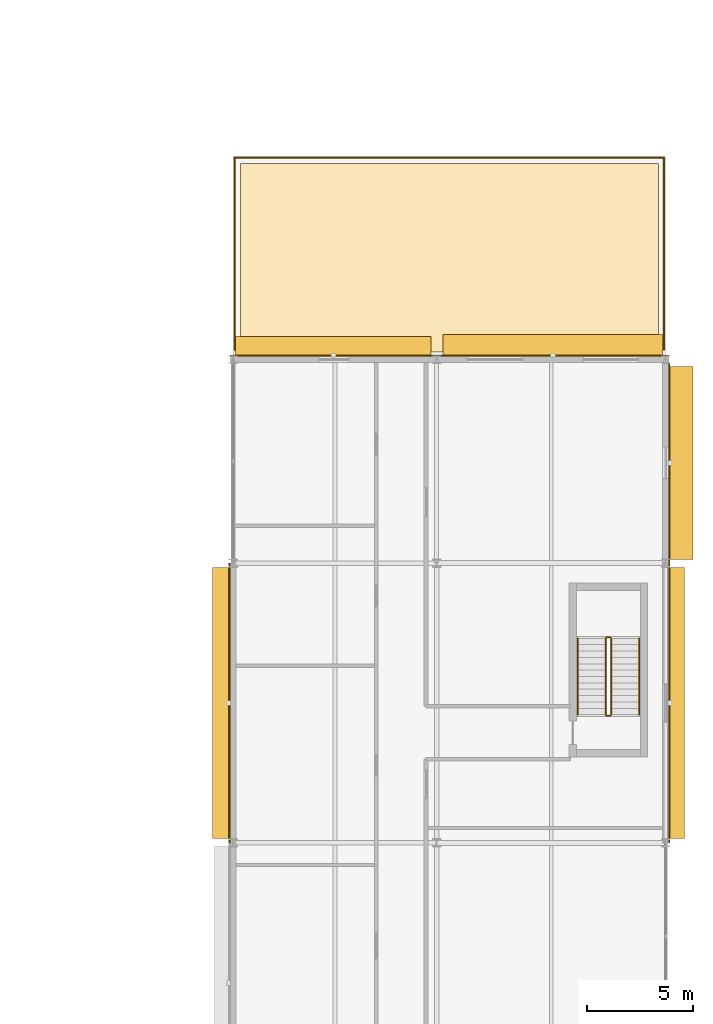
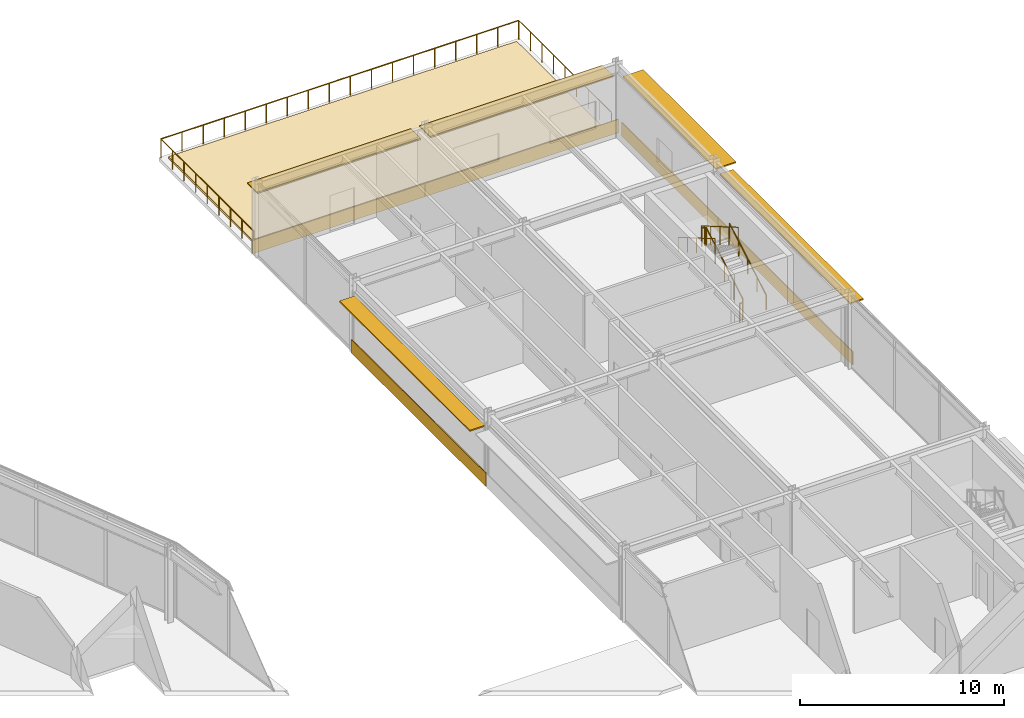
# One storey, part 133 of 133: 9 railings, 6 coverings, 5 shading devices.
"""IFC4 building model written with IfcOpenShell, lengths in metres."""

from ifc_helpers import new_model, si_unit, direction, frame, origin, origin_2d, place, context, subcontext, project, spatial, polyline, rectangle, circle, outline, extrude, material, layer, layer_set, type_object, element, save


model = new_model("IFC4")

# Units and contexts
model_context = context("Model", 3, precision=1e-05, world=origin(), true_north=direction((0.0, 1.0)))
body_context = subcontext(model_context, "Body", "Model", "MODEL_VIEW")
ifc_project = project(units=[si_unit("LENGTHUNIT", "METRE"), si_unit("AREAUNIT", "SQUARE_METRE"), si_unit("VOLUMEUNIT", "CUBIC_METRE"), si_unit("PLANEANGLEUNIT", "RADIAN"), si_unit("MASSUNIT", "GRAM", prefix="KILO")], contexts=[model_context])

# Site, building, storey
site_placement = place(None, origin())
site = spatial("IfcSite", under=ifc_project, at=site_placement, CompositionType="ELEMENT")
building_placement = place(site_placement, origin())
building = spatial("IfcBuilding", under=site, at=building_placement, Name="Almandine Court Research Institute", CompositionType="ELEMENT")
storey_placement = place(building_placement, frame((0.0, 0.0, 9.800048828125)))
storey = spatial("IfcBuildingStorey", under=building, at=storey_placement, Name="L02", CompositionType="ELEMENT", Elevation=9.800048828125)

# Coverings
ifc_material_1 = material(Name="Extruded Cream-Ochre Seismic Terracotta Spandrel", Category="masonry")
ifc_layer_1 = layer(ifc_material_1, 0.054931640625)
ifc_layer_set_1 = layer_set([ifc_layer_1], Name="Extruded Cream-Ochre Seismic Terracotta Spandrel")
covering_type_1 = type_object("IfcCoveringType", Name="Cov-CLAD-TERR", PredefinedType="CLADDING", material=ifc_layer_set_1)
covering_1_placement = place(storey_placement, frame((153.428955078125, 77.39990234375, 0.02001953125), z_axis=(0.0, 0.0, 1.0), x_axis=(0.0, 1.0, 0.0)))
element("IfcCovering", 1, at=covering_1_placement, inside=storey, type_object=covering_type_1, Name="L02 Facade Spandrel Cladding Band 141", PredefinedType="CLADDING", context=body_context, shape_type="SweptSolid", body=[
    extrude(rectangle(XDim=13.19189453125, YDim=0.054931640625, at=origin_2d()), origin(), (0.0, 0.0, 1.0), 0.800048828125),
])
covering_2_placement = place(storey_placement, frame((158.325927734375, 93.77001953125, 0.02001953125), z_axis=(0.0, 0.0, 1.0), x_axis=(1.0, 0.0, 0.0)))
element("IfcCovering", 2, at=covering_2_placement, inside=storey, type_object=covering_type_1, Name="L02 Facade Spandrel Cladding Band 142", PredefinedType="CLADDING", context=body_context, shape_type="SweptSolid", body=[
    extrude(rectangle(XDim=9.740966796875, YDim=0.054931640625, at=origin_2d()), origin(), (0.0, 0.0, 1.0), 0.800048828125),
])
covering_3_placement = place(storey_placement, frame((168.675048828125, 93.77001953125, 0.02001953125), z_axis=(0.0, 0.0, 1.0), x_axis=(1.0, 0.0, 0.0)))
element("IfcCovering", 3, at=covering_3_placement, inside=storey, type_object=covering_type_1, Name="L02 Facade Spandrel Cladding Band 143", PredefinedType="CLADDING", context=body_context, shape_type="SweptSolid", body=[
    extrude(rectangle(XDim=10.94091796875, YDim=0.054931640625, at=origin_2d()), origin(), (0.0, 0.0, 1.0), 0.800048828125),
])
covering_4_placement = place(storey_placement, frame((174.1708984375, 88.72705078125, 0.02001953125), z_axis=(0.0, 0.0, 1.0), x_axis=(0.0, -1.0, 0.0)))
element("IfcCovering", 4, at=covering_4_placement, inside=storey, type_object=covering_type_1, Name="L02 Facade Spandrel Cladding Band 144", PredefinedType="CLADDING", context=body_context, shape_type="SweptSolid", body=[
    extrude(rectangle(XDim=9.447021484375, YDim=0.054931640625, at=origin_2d()), origin(), (0.0, 0.0, 1.0), 0.800048828125),
])
covering_5_placement = place(storey_placement, frame((174.1708984375, 77.39990234375, 0.02001953125), z_axis=(0.0, 0.0, 1.0), x_axis=(0.0, -1.0, 0.0)))
element("IfcCovering", 5, at=covering_5_placement, inside=storey, type_object=covering_type_1, Name="L02 Facade Spandrel Cladding Band 145", PredefinedType="CLADDING", context=body_context, shape_type="SweptSolid", body=[
    extrude(rectangle(XDim=13.19189453125, YDim=0.054931640625, at=origin_2d()), origin(), (0.0, 0.0, 1.0), 0.800048828125),
])
ifc_material_2 = material(Name="Extensive Andean Sedum Planted Green Roof Build-Up")
ifc_layer_2 = layer(ifc_material_2, 0.139892578125)
ifc_layer_set_2 = layer_set([ifc_layer_2], Name="Extensive Andean Sedum Planted Green Roof Build-Up")
covering_type_2 = type_object("IfcCoveringType", Name="Cov-ROOF-GREEN", PredefinedType="ROOFING", material=ifc_layer_set_2)
covering_6_placement = place(storey_placement, origin())
element("IfcCovering", 6, at=covering_6_placement, inside=storey, type_object=covering_type_2, Name="L02 Planted Green Roof Covering 05", PredefinedType="ROOFING", context=body_context, shape_type="SweptSolid", body=[
    extrude(outline(polyline([(153.949951171875, 93.949951171875), (153.949951171875, 102.85009765625), (173.64990234375, 102.85009765625), (173.64990234375, 93.949951171875), (153.949951171875, 93.949951171875)])), origin(), (0.0, 0.0, 1.0), 0.139892578125),
])

# Railings
ifc_material_3 = material(Name="Architectural Powder-Coated Aluminium Balustrade", Category="aluminium")
railing_type_1 = type_object("IfcRailingType", Name="Rail-BAL-EXT", PredefinedType="BALUSTRADE", material=ifc_material_3)
railing_1_placement = place(storey_placement, frame((153.679931640625, 94.050048828125, 0.0)))
element("IfcRailing", 7, at=railing_1_placement, inside=storey, type_object=railing_type_1, Name="L02 Terrace Perimeter Balustrade 012", PredefinedType="BALUSTRADE", context=body_context, shape_type="SweptSolid", body=[
    extrude(circle(Radius=0.02392578125, at=origin_2d()), frame((0.0, 0.0, 1.1259765625), z_axis=(0.0, 1.0, 0.0), x_axis=(-1.0, 0.0, 0.0)), (0.0, 0.0, 1.0), 9.070068359375),
    extrude(circle(Radius=0.02099609375, at=origin_2d()), origin(), (0.0, 0.0, 1.0), 1.101806640625),
    extrude(circle(Radius=0.02099609375, at=origin_2d()), frame((0.0, 1.1337890625, 0.0)), (0.0, 0.0, 1.0), 1.101806640625),
    extrude(circle(Radius=0.02099609375, at=origin_2d()), frame((0.0, 2.267578125, 0.0)), (0.0, 0.0, 1.0), 1.101806640625),
    extrude(circle(Radius=0.02099609375, at=origin_2d()), frame((0.0, 3.4013671875, 0.0)), (0.0, 0.0, 1.0), 1.101806640625),
    extrude(circle(Radius=0.02099609375, at=origin_2d()), frame((0.0, 4.53515625, 0.0)), (0.0, 0.0, 1.0), 1.101806640625),
    extrude(circle(Radius=0.02099609375, at=origin_2d()), frame((0.0, 5.668701171875, 0.0)), (0.0, 0.0, 1.0), 1.101806640625),
    extrude(circle(Radius=0.02099609375, at=origin_2d()), frame((0.0, 6.802490234375, 0.0)), (0.0, 0.0, 1.0), 1.101806640625),
    extrude(circle(Radius=0.02099609375, at=origin_2d()), frame((0.0, 7.936279296875, 0.0)), (0.0, 0.0, 1.0), 1.101806640625),
    extrude(circle(Radius=0.02099609375, at=origin_2d()), frame((0.0, 9.070068359375, 0.0)), (0.0, 0.0, 1.0), 1.101806640625),
])
railing_2_placement = place(storey_placement, frame((153.679931640625, 103.1201171875, 0.0)))
element("IfcRailing", 8, at=railing_2_placement, inside=storey, type_object=railing_type_1, Name="L02 Terrace Perimeter Balustrade 013", PredefinedType="BALUSTRADE", context=body_context, shape_type="SweptSolid", body=[
    extrude(circle(Radius=0.02392578125, at=origin_2d()), frame((0.0, 0.0, 1.1259765625), z_axis=(1.0, 0.0, 0.0), x_axis=(0.0, 1.0, 0.0)), (0.0, 0.0, 1.0), 20.239990234375),
    extrude(circle(Radius=0.02099609375, at=origin_2d()), origin(), (0.0, 0.0, 1.0), 1.101806640625),
    extrude(circle(Radius=0.02099609375, at=origin_2d()), frame((1.190673828125, 0.0, 0.0)), (0.0, 0.0, 1.0), 1.101806640625),
    extrude(circle(Radius=0.02099609375, at=origin_2d()), frame((2.381103515625, 0.0, 0.0)), (0.0, 0.0, 1.0), 1.101806640625),
    extrude(circle(Radius=0.02099609375, at=origin_2d()), frame((3.57177734375, 0.0, 0.0)), (0.0, 0.0, 1.0), 1.101806640625),
    extrude(circle(Radius=0.02099609375, at=origin_2d()), frame((4.762451171875, 0.0, 0.0)), (0.0, 0.0, 1.0), 1.101806640625),
    extrude(circle(Radius=0.02099609375, at=origin_2d()), frame((5.952880859375, 0.0, 0.0)), (0.0, 0.0, 1.0), 1.101806640625),
    extrude(circle(Radius=0.02099609375, at=origin_2d()), frame((7.1435546875, 0.0, 0.0)), (0.0, 0.0, 1.0), 1.101806640625),
    extrude(circle(Radius=0.02099609375, at=origin_2d()), frame((8.334228515625, 0.0, 0.0)), (0.0, 0.0, 1.0), 1.101806640625),
    extrude(circle(Radius=0.02099609375, at=origin_2d()), frame((9.524658203125, 0.0, 0.0)), (0.0, 0.0, 1.0), 1.101806640625),
    extrude(circle(Radius=0.02099609375, at=origin_2d()), frame((10.71533203125, 0.0, 0.0)), (0.0, 0.0, 1.0), 1.101806640625),
    extrude(circle(Radius=0.02099609375, at=origin_2d()), frame((11.90576171875, 0.0, 0.0)), (0.0, 0.0, 1.0), 1.101806640625),
    extrude(circle(Radius=0.02099609375, at=origin_2d()), frame((13.096435546875, 0.0, 0.0)), (0.0, 0.0, 1.0), 1.101806640625),
    extrude(circle(Radius=0.02099609375, at=origin_2d()), frame((14.287109375, 0.0, 0.0)), (0.0, 0.0, 1.0), 1.101806640625),
    extrude(circle(Radius=0.02099609375, at=origin_2d()), frame((15.4775390625, 0.0, 0.0)), (0.0, 0.0, 1.0), 1.101806640625),
    extrude(circle(Radius=0.02099609375, at=origin_2d()), frame((16.668212890625, 0.0, 0.0)), (0.0, 0.0, 1.0), 1.101806640625),
    extrude(circle(Radius=0.02099609375, at=origin_2d()), frame((17.85888671875, 0.0, 0.0)), (0.0, 0.0, 1.0), 1.101806640625),
    extrude(circle(Radius=0.02099609375, at=origin_2d()), frame((19.04931640625, 0.0, 0.0)), (0.0, 0.0, 1.0), 1.101806640625),
    extrude(circle(Radius=0.02099609375, at=origin_2d()), frame((20.239990234375, 0.0, 0.0)), (0.0, 0.0, 1.0), 1.101806640625),
])
railing_3_placement = place(storey_placement, frame((173.919921875, 103.1201171875, 0.0)))
element("IfcRailing", 9, at=railing_3_placement, inside=storey, type_object=railing_type_1, Name="L02 Terrace Perimeter Balustrade 014", PredefinedType="BALUSTRADE", context=body_context, shape_type="SweptSolid", body=[
    extrude(circle(Radius=0.02392578125, at=origin_2d()), frame((0.0, 0.0, 1.1259765625), z_axis=(0.0, -1.0, 0.0), x_axis=(1.0, 0.0, 0.0)), (0.0, 0.0, 1.0), 9.070068359375),
    extrude(circle(Radius=0.02099609375, at=origin_2d()), origin(), (0.0, 0.0, 1.0), 1.101806640625),
    extrude(circle(Radius=0.02099609375, at=origin_2d()), frame((0.0, -1.1337890625, 0.0)), (0.0, 0.0, 1.0), 1.101806640625),
    extrude(circle(Radius=0.02099609375, at=origin_2d()), frame((0.0, -2.267578125, 0.0)), (0.0, 0.0, 1.0), 1.101806640625),
    extrude(circle(Radius=0.02099609375, at=origin_2d()), frame((0.0, -3.4013671875, 0.0)), (0.0, 0.0, 1.0), 1.101806640625),
    extrude(circle(Radius=0.02099609375, at=origin_2d()), frame((0.0, -4.53515625, 0.0)), (0.0, 0.0, 1.0), 1.101806640625),
    extrude(circle(Radius=0.02099609375, at=origin_2d()), frame((0.0, -5.668701171875, 0.0)), (0.0, 0.0, 1.0), 1.101806640625),
    extrude(circle(Radius=0.02099609375, at=origin_2d()), frame((0.0, -6.802490234375, 0.0)), (0.0, 0.0, 1.0), 1.101806640625),
    extrude(circle(Radius=0.02099609375, at=origin_2d()), frame((0.0, -7.936279296875, 0.0)), (0.0, 0.0, 1.0), 1.101806640625),
    extrude(circle(Radius=0.02099609375, at=origin_2d()), frame((0.0, -9.070068359375, 0.0)), (0.0, 0.0, 1.0), 1.101806640625),
])
ifc_material_4 = material(Name="Powder-Coated Steel Stair and Atrium Balustrade", Category="steel")
railing_type_2 = type_object("IfcRailingType", Name="Rail-GUARD-INT", PredefinedType="BALUSTRADE", material=ifc_material_4)
railing_4_placement = place(storey_placement, frame((171.429931640625, 76.85009765625, 0.175048828125)))
element("IfcRailing", 10, at=railing_4_placement, inside=storey, type_object=railing_type_2, Name="L02 ST-13 stair guard 1", PredefinedType="BALUSTRADE", context=body_context, shape_type="SweptSolid", body=[
    extrude(circle(Radius=0.02392578125, at=origin_2d()), frame((0.0, 0.0, 1.09619140625), z_axis=(0.0, 0.86378527499, 0.503860098351), x_axis=(-1.0, 0.0, 0.0)), (0.0, 0.0, 1.0), 4.16748046875),
    extrude(circle(Radius=0.02099609375, at=origin_2d()), origin(), (0.0, 0.0, 1.0), 1.072021484375),
    extrude(circle(Radius=0.02099609375, at=origin_2d()), frame((0.0, 0.89990234375, 0.52490234375)), (0.0, 0.0, 1.0), 1.072021484375),
    extrude(circle(Radius=0.02099609375, at=origin_2d()), frame((0.0, 1.7998046875, 1.0498046875)), (0.0, 0.0, 1.0), 1.072021484375),
    extrude(circle(Radius=0.02099609375, at=origin_2d()), frame((0.0, 2.699951171875, 1.574951171875)), (0.0, 0.0, 1.0), 1.072021484375),
    extrude(circle(Radius=0.02099609375, at=origin_2d()), frame((0.0, 3.599853515625, 2.099853515625)), (0.0, 0.0, 1.0), 1.072021484375),
])
railing_5_placement = place(storey_placement, frame((171.3798828125, 80.5, 2.27490234375)))
element("IfcRailing", 11, at=railing_5_placement, inside=storey, type_object=railing_type_2, Name="L02 ST-13 stair guard 2", PredefinedType="BALUSTRADE", context=body_context, shape_type="SweptSolid", body=[
    extrude(circle(Radius=0.02392578125, at=origin_2d()), frame((0.0, 0.0, 1.09619140625), z_axis=(-1.0, 0.0, 0.0), x_axis=(0.0, -1.0, 0.0)), (0.0, 0.0, 1.0), 0.159912109375),
    extrude(circle(Radius=0.02099609375, at=origin_2d()), origin(), (0.0, 0.0, 1.0), 1.072021484375),
    extrude(circle(Radius=0.02099609375, at=origin_2d()), frame((-0.159912109375, 0.0, 0.0)), (0.0, 0.0, 1.0), 1.072021484375),
])
railing_6_placement = place(storey_placement, frame((171.169921875, 80.449951171875, 2.449951171875)))
element("IfcRailing", 12, at=railing_6_placement, inside=storey, type_object=railing_type_2, Name="L02 ST-13 stair guard 3", PredefinedType="BALUSTRADE", context=body_context, shape_type="SweptSolid", body=[
    extrude(circle(Radius=0.02392578125, at=origin_2d()), frame((0.0, 0.0, 1.09619140625), z_axis=(0.0, -0.863759778359, 0.503903805591), x_axis=(1.0, 0.0, 0.0)), (0.0, 0.0, 1.0), 4.167724609375),
    extrude(circle(Radius=0.02099609375, at=origin_2d()), origin(), (0.0, 0.0, 1.0), 1.072021484375),
    extrude(circle(Radius=0.02099609375, at=origin_2d()), frame((0.0, -0.89990234375, 0.52490234375)), (0.0, 0.0, 1.0), 1.072021484375),
    extrude(circle(Radius=0.02099609375, at=origin_2d()), frame((0.0, -1.7998046875, 1.050048828125)), (0.0, 0.0, 1.0), 1.072021484375),
    extrude(circle(Radius=0.02099609375, at=origin_2d()), frame((0.0, -2.699951171875, 1.5751953125)), (0.0, 0.0, 1.0), 1.072021484375),
    extrude(circle(Radius=0.02099609375, at=origin_2d()), frame((0.0, -3.599853515625, 2.10009765625)), (0.0, 0.0, 1.0), 1.072021484375),
])
railing_7_placement = place(storey_placement, frame((171.3798828125, 76.800048828125, 0.0)))
element("IfcRailing", 13, at=railing_7_placement, inside=storey, type_object=railing_type_2, Name="L02 ST-13 stair guard 4", PredefinedType="BALUSTRADE", context=body_context, shape_type="SweptSolid", body=[
    extrude(circle(Radius=0.02392578125, at=origin_2d()), frame((0.0, 0.0, 1.09619140625), z_axis=(-1.0, 0.0, 0.0), x_axis=(0.0, -1.0, 0.0)), (0.0, 0.0, 1.0), 0.159912109375),
    extrude(circle(Radius=0.02099609375, at=origin_2d()), origin(), (0.0, 0.0, 1.0), 1.072021484375),
    extrude(circle(Radius=0.02099609375, at=origin_2d()), frame((-0.159912109375, 0.0, 0.0)), (0.0, 0.0, 1.0), 1.072021484375),
])
ifc_material_5 = material(Name="Brushed Stainless Steel Wall Handrail", Category="steel")
railing_type_3 = type_object("IfcRailingType", Name="Rail-HAND-INT", PredefinedType="HANDRAIL", material=ifc_material_5)
railing_8_placement = place(storey_placement, frame((172.75, 76.85009765625, 0.175048828125)))
element("IfcRailing", 14, at=railing_8_placement, inside=storey, type_object=railing_type_3, Name="L02 ST-13 stair handrail 1", PredefinedType="HANDRAIL", context=body_context, shape_type="SweptSolid", body=[
    extrude(circle(Radius=0.02392578125, at=origin_2d()), frame((0.0, 0.0, 0.8759765625), z_axis=(0.0, 0.86378527499, 0.503860098351), x_axis=(-1.0, 0.0, 0.0)), (0.0, 0.0, 1.0), 4.16748046875),
    extrude(circle(Radius=0.02099609375, at=origin_2d()), origin(), (0.0, 0.0, 1.0), 0.851806640625),
    extrude(circle(Radius=0.02099609375, at=origin_2d()), frame((0.0, 0.89990234375, 0.52490234375)), (0.0, 0.0, 1.0), 0.851806640625),
    extrude(circle(Radius=0.02099609375, at=origin_2d()), frame((0.0, 1.7998046875, 1.0498046875)), (0.0, 0.0, 1.0), 0.851806640625),
    extrude(circle(Radius=0.02099609375, at=origin_2d()), frame((0.0, 2.699951171875, 1.574951171875)), (0.0, 0.0, 1.0), 0.851806640625),
    extrude(circle(Radius=0.02099609375, at=origin_2d()), frame((0.0, 3.599853515625, 2.099853515625)), (0.0, 0.0, 1.0), 0.851806640625),
])
railing_9_placement = place(storey_placement, frame((169.85009765625, 80.449951171875, 2.449951171875)))
element("IfcRailing", 15, at=railing_9_placement, inside=storey, type_object=railing_type_3, Name="L02 ST-13 stair handrail 2", PredefinedType="HANDRAIL", context=body_context, shape_type="SweptSolid", body=[
    extrude(circle(Radius=0.02392578125, at=origin_2d()), frame((0.0, 0.0, 0.8759765625), z_axis=(0.0, -0.863759778359, 0.503903805591), x_axis=(1.0, 0.0, 0.0)), (0.0, 0.0, 1.0), 4.167724609375),
    extrude(circle(Radius=0.02099609375, at=origin_2d()), origin(), (0.0, 0.0, 1.0), 0.851806640625),
    extrude(circle(Radius=0.02099609375, at=origin_2d()), frame((0.0, -0.89990234375, 0.52490234375)), (0.0, 0.0, 1.0), 0.851806640625),
    extrude(circle(Radius=0.02099609375, at=origin_2d()), frame((0.0, -1.7998046875, 1.050048828125)), (0.0, 0.0, 1.0), 0.851806640625),
    extrude(circle(Radius=0.02099609375, at=origin_2d()), frame((0.0, -2.699951171875, 1.5751953125)), (0.0, 0.0, 1.0), 0.851806640625),
    extrude(circle(Radius=0.02099609375, at=origin_2d()), frame((0.0, -3.599853515625, 2.10009765625)), (0.0, 0.0, 1.0), 0.851806640625),
])

# Shading devices
ifc_material_6 = material(Name="Precast GFRC Chhajja Sunshade and Acoustic Louvre", Category="concrete")
ifc_layer_3 = layer(ifc_material_6, 0.080078125)
ifc_layer_set_3 = layer_set([ifc_layer_3], Name="Precast GFRC Chhajja Sunshade and Acoustic Louvre")
shading_device_type_1 = type_object("IfcShadingDeviceType", Name="Shd-SD-11", PredefinedType="AWNING", material=ifc_layer_set_3)
shading_device_1_placement = place(storey_placement, frame((158.325927734375, 94.2099609375, 3.531005859375), z_axis=(0.0, 0.0, 1.0), x_axis=(1.0, 0.0, 0.0)))
element("IfcShadingDevice", 16, at=shading_device_1_placement, inside=storey, type_object=shading_device_type_1, Name="L02 Projecting Chhajja Sunshade 94", PredefinedType="AWNING", context=body_context, shape_type="SweptSolid", body=[
    extrude(rectangle(XDim=9.23095703125, YDim=0.949951171875, at=origin_2d()), origin(), (0.0, 0.0, 1.0), 0.080078125),
])
ifc_layer_4 = layer(ifc_material_6, 0.080078125)
ifc_layer_set_4 = layer_set([ifc_layer_4], Name="Precast GFRC Chhajja Sunshade and Acoustic Louvre")
shading_device_type_2 = type_object("IfcShadingDeviceType", Name="Shd-SD-17", PredefinedType="AWNING", material=ifc_layer_set_4)
shading_device_2_placement = place(storey_placement, frame((174.7099609375, 88.72705078125, 3.60400390625), z_axis=(0.0, 0.0, 1.0), x_axis=(0.0, -1.0, 0.0)))
element("IfcShadingDevice", 17, at=shading_device_2_placement, inside=storey, type_object=shading_device_type_2, Name="L02 Projecting Chhajja Sunshade 96", PredefinedType="AWNING", context=body_context, shape_type="SweptSolid", body=[
    extrude(rectangle(XDim=9.096923828125, YDim=1.14990234375, at=origin_2d()), origin(), (0.0, 0.0, 1.0), 0.080078125),
])
ifc_layer_5 = layer(ifc_material_6, 0.080078125)
ifc_layer_set_5 = layer_set([ifc_layer_5], Name="Precast GFRC Chhajja Sunshade and Acoustic Louvre")
shading_device_type_3 = type_object("IfcShadingDeviceType", Name="Shd-SD-55", PredefinedType="AWNING", material=ifc_layer_set_5)
shading_device_3_placement = place(storey_placement, frame((153.0400390625, 77.39990234375, 3.4619140625), z_axis=(0.0, 0.0, 1.0), x_axis=(0.0, 1.0, 0.0)))
element("IfcShadingDevice", 18, at=shading_device_3_placement, inside=storey, type_object=shading_device_type_3, Name="L02 Projecting Chhajja Sunshade 93", PredefinedType="AWNING", context=body_context, shape_type="SweptSolid", body=[
    extrude(rectangle(XDim=12.761962890625, YDim=0.85009765625, at=origin_2d()), origin(), (0.0, 0.0, 1.0), 0.080078125),
])
ifc_layer_6 = layer(ifc_material_6, 0.080078125)
ifc_layer_set_6 = layer_set([ifc_layer_6], Name="Precast GFRC Chhajja Sunshade and Acoustic Louvre")
shading_device_type_4 = type_object("IfcShadingDeviceType", Name="Shd-SD-56", PredefinedType="AWNING", material=ifc_layer_set_6)
shading_device_4_placement = place(storey_placement, frame((168.675048828125, 94.260009765625, 3.452880859375), z_axis=(0.0, 0.0, 1.0), x_axis=(1.0, 0.0, 0.0)))
element("IfcShadingDevice", 19, at=shading_device_4_placement, inside=storey, type_object=shading_device_type_4, Name="L02 Projecting Chhajja Sunshade 95", PredefinedType="AWNING", context=body_context, shape_type="SweptSolid", body=[
    extrude(rectangle(XDim=10.35107421875, YDim=1.050048828125, at=origin_2d()), origin(), (0.0, 0.0, 1.0), 0.080078125),
])
ifc_layer_7 = layer(ifc_material_6, 0.080078125)
ifc_layer_set_7 = layer_set([ifc_layer_7], Name="Precast GFRC Chhajja Sunshade and Acoustic Louvre")
shading_device_type_5 = type_object("IfcShadingDeviceType", Name="Shd-SD-57", PredefinedType="AWNING", material=ifc_layer_set_7)
shading_device_5_placement = place(storey_placement, frame((174.510009765625, 77.39990234375, 3.533935546875), z_axis=(0.0, 0.0, 1.0), x_axis=(0.0, -1.0, 0.0)))
element("IfcShadingDevice", 20, at=shading_device_5_placement, inside=storey, type_object=shading_device_type_5, Name="L02 Projecting Chhajja Sunshade 97", PredefinedType="AWNING", context=body_context, shape_type="SweptSolid", body=[
    extrude(rectangle(XDim=12.761962890625, YDim=0.75, at=origin_2d()), origin(), (0.0, 0.0, 1.0), 0.080078125),
])

save(model, "model.ifc")
